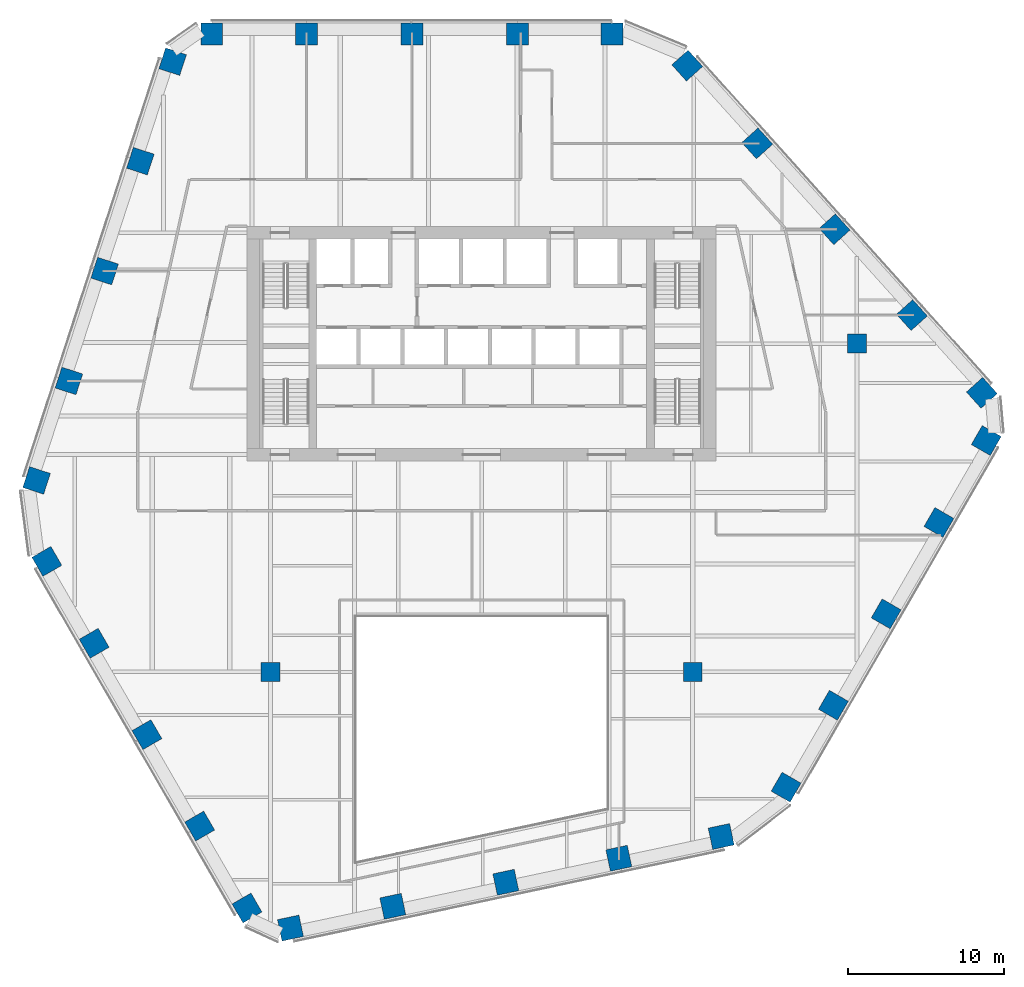
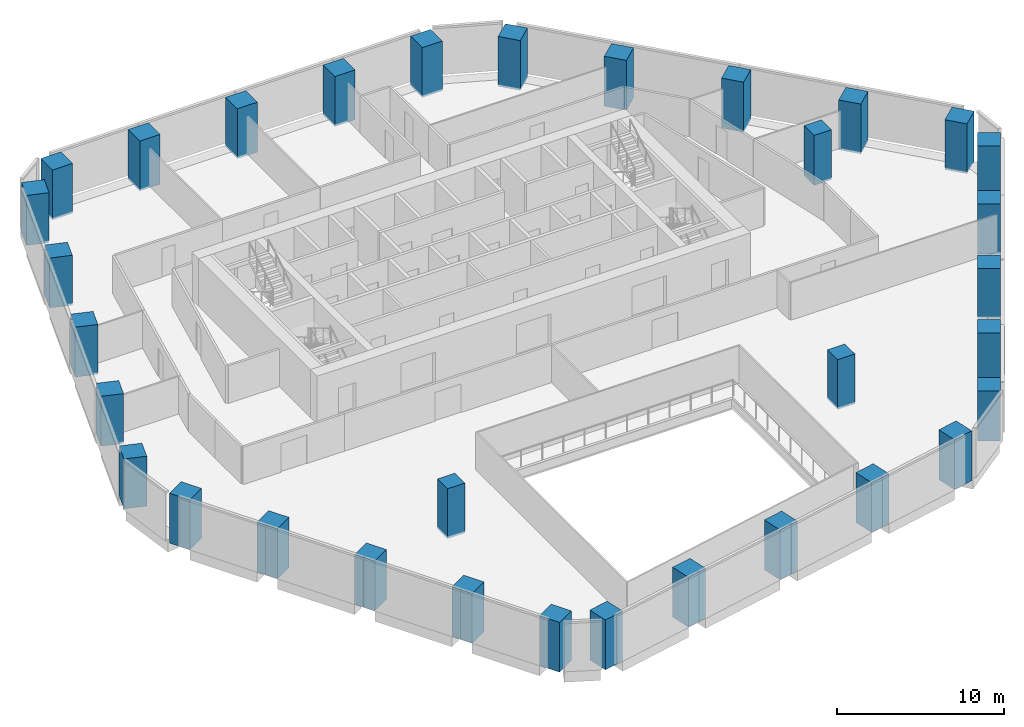
# One storey, part 1 of 16: 33 columns.
"""IFC4 building model written with IfcOpenShell, lengths in metres."""

from ifc_helpers import new_model, si_unit, direction, frame, origin, origin_2d, place, context, subcontext, project, spatial, rectangle, extrude, material, material_profile, profile_set, type_object, element, save


model = new_model("IFC4")

# Units and contexts
model_context = context("Model", 3, precision=1e-05, world=origin(), true_north=direction((0.0, 1.0)))
body_context = subcontext(model_context, "Body", "Model", "MODEL_VIEW")
ifc_project = project(units=[si_unit("LENGTHUNIT", "METRE"), si_unit("AREAUNIT", "SQUARE_METRE"), si_unit("VOLUMEUNIT", "CUBIC_METRE"), si_unit("PLANEANGLEUNIT", "RADIAN"), si_unit("MASSUNIT", "GRAM", prefix="KILO")], contexts=[model_context])

# Site, building, storey
site_placement = place(None, origin())
site = spatial("IfcSite", under=ifc_project, at=site_placement, CompositionType="ELEMENT")
building_placement = place(site_placement, origin())
building = spatial("IfcBuilding", under=site, at=building_placement, Name="Isthmus Gate Tower", CompositionType="ELEMENT")
storey_placement = place(building_placement, frame((0.0, 0.0, 140.75)))
storey = spatial("IfcBuildingStorey", under=building, at=storey_placement, Name="L34", CompositionType="ELEMENT", Elevation=140.75)

# Columns
ifc_material_1 = material(Name="Concrete f'c 60 MPa", Category="concrete")
ifc_material_profile_1 = material_profile(ifc_material_1, rectangle(XDim=1.199951171875, YDim=1.199951171875, at=origin_2d()), Name="RC 1200X1200")
ifc_profile_set_1 = profile_set([ifc_material_profile_1], Name="Concrete f'c 60 MPa")
column_type_1 = type_object("IfcColumnType", Name="RC INTERIOR COLUMN 1200 X 1200", PredefinedType="COLUMN", material=ifc_profile_set_1)
for number, where, z_axis, x_axis, name in (
    (1, (-13.5, -13.5, -0.14990234375), (0.0, 0.0, 1.0), (1.0, 0.0, 0.0), "str-icol-L34-ICB2"),
    (2, (13.5, -13.5, -0.14990234375), (0.0, 0.0, 1.0), (1.0, 0.0, 0.0), "str-icol-L34-ICD2"),
    (3, (24.0, 7.5, -0.14990234375), (0.0, 0.0, 1.0), (1.0, 0.0, 0.0), "str-icol-L34-ICE3"),
):
    element("IfcColumn", number, at=place(storey_placement, frame(where, z_axis=z_axis, x_axis=x_axis)), inside=storey, type_object=column_type_1, Name=name, PredefinedType="COLUMN", context=body_context, shape_type="SweptSolid", body=[
        extrude(rectangle(XDim=1.199951171875, YDim=1.199951171875, at=origin_2d()), origin(), (0.0, 0.0, 1.0), 3.64990234375),
    ])
ifc_material_2 = material(Name="Concrete f'c 60 MPa", Category="concrete")
ifc_material_profile_2 = material_profile(ifc_material_2, rectangle(XDim=1.39990234375, YDim=1.39990234375, at=origin_2d()), Name="RC 1400X1400")
ifc_profile_set_2 = profile_set([ifc_material_profile_2], Name="Concrete f'c 60 MPa")
column_type_2 = type_object("IfcColumnType", Name="RC TUBE COLUMN 1400 X 1400", PredefinedType="COLUMN", material=ifc_profile_set_2)
for number, where, z_axis, x_axis, name in (
    (4, (8.338623046875, 27.300048828125, -0.14990234375), (0.0, 0.0, 1.0), (-1.0, 0.0, 0.0), "str-tcol-L34-T2N0"),
    (5, (2.288330078125, 27.300048828125, -0.14990234375), (0.0, 0.0, 1.0), (-1.0, 0.0, 0.0), "str-tcol-L34-T2N1"),
    (6, (-4.461669921875, 27.300048828125, -0.14990234375), (0.0, 0.0, 1.0), (-1.0, 0.0, 0.0), "str-tcol-L34-T2N2"),
    (7, (-11.2119140625, 27.300048828125, -0.14990234375), (0.0, 0.0, 1.0), (-1.0, 0.0, 0.0), "str-tcol-L34-T2N3"),
    (8, (-17.261962890625, 27.300048828125, -0.14990234375), (0.0, 0.0, 1.0), (-1.0, 0.0, 0.0), "str-tcol-L34-T2N4"),
    (9, (-19.765380859375, 25.532958984375, -0.14990234375), (0.0, 0.0, 1.0), (-0.309016994375, -0.951056516295, 0.0), "str-tcol-L34-T2NW0"),
    (10, (-21.8330078125, 19.169677734375, -0.14990234375), (0.0, 0.0, 1.0), (-0.309016994375, -0.951056516295, 0.0), "str-tcol-L34-T2NW1"),
    (11, (-24.116943359375, 12.140625, -0.14990234375), (0.0, 0.0, 1.0), (-0.309016994375, -0.951056516295, 0.0), "str-tcol-L34-T2NW2"),
    (12, (-26.400634765625, 5.111328125, -0.14990234375), (0.0, 0.0, 1.0), (-0.309016994375, -0.951056516295, 0.0), "str-tcol-L34-T2NW3"),
    (13, (-28.46826171875, -1.251953125, -0.14990234375), (0.0, 0.0, 1.0), (-0.309016994375, -0.951056516295, 0.0), "str-tcol-L34-T2NW4"),
    (14, (-27.811767578125, -6.4287109375, -0.14990234375), (0.0, 0.0, 1.0), (0.5, -0.866025403784, 0.0), "str-tcol-L34-T2SW0"),
    (15, (-24.78662109375, -11.668212890625, -0.14990234375), (0.0, 0.0, 1.0), (0.5, -0.866025403784, 0.0), "str-tcol-L34-T2SW1"),
    (16, (-21.41162109375, -17.513916015625, -0.14990234375), (0.0, 0.0, 1.0), (0.5, -0.866025403784, 0.0), "str-tcol-L34-T2SW2"),
    (17, (-18.03662109375, -23.359619140625, -0.14990234375), (0.0, 0.0, 1.0), (0.5, -0.866025403784, 0.0), "str-tcol-L34-T2SW3"),
    (18, (-15.011474609375, -28.599365234375, -0.14990234375), (0.0, 0.0, 1.0), (0.5, -0.866025403784, 0.0), "str-tcol-L34-T2SW4"),
    (19, (-12.2294921875, -29.8837890625, -0.14990234375), (0.0, 0.0, 1.0), (0.978147600734, 0.207911690818, 0.0), "str-tcol-L34-T2S0"),
    (20, (-5.684814453125, -28.49267578125, -0.14990234375), (0.0, 0.0, 1.0), (0.978147600734, 0.207911690818, 0.0), "str-tcol-L34-T2S1"),
    (21, (1.54443359375, -26.9560546875, -0.14990234375), (0.0, 0.0, 1.0), (0.978147600734, 0.207911690818, 0.0), "str-tcol-L34-T2S2"),
    (22, (8.773681640625, -25.41943359375, -0.14990234375), (0.0, 0.0, 1.0), (0.978147600734, 0.207911690818, 0.0), "str-tcol-L34-T2S3"),
    (23, (15.318359375, -24.0283203125, -0.14990234375), (0.0, 0.0, 1.0), (0.978147600734, 0.207911690818, 0.0), "str-tcol-L34-T2S4"),
    (24, (19.47314453125, -20.871337890625, -0.14990234375), (0.0, 0.0, 1.0), (0.5, 0.866025403784, 0.0), "str-tcol-L34-T2SE0"),
    (25, (22.498291015625, -15.6318359375, -0.14990234375), (0.0, 0.0, 1.0), (0.5, 0.866025403784, 0.0), "str-tcol-L34-T2SE1"),
    (26, (25.873291015625, -9.7861328125, -0.14990234375), (0.0, 0.0, 1.0), (0.5, 0.866025403784, 0.0), "str-tcol-L34-T2SE2"),
    (27, (29.248291015625, -3.940185546875, -0.14990234375), (0.0, 0.0, 1.0), (0.5, 0.866025403784, 0.0), "str-tcol-L34-T2SE3"),
    (28, (32.2734375, 1.29931640625, -0.14990234375), (0.0, 0.0, 1.0), (0.5, 0.866025403784, 0.0), "str-tcol-L34-T2SE4"),
    (29, (31.994873046875, 4.350830078125, -0.14990234375), (0.0, 0.0, 1.0), (-0.669130606359, 0.743144825477, 0.0), "str-tcol-L34-T2NE0"),
    (30, (27.517822265625, 9.3232421875, -0.14990234375), (0.0, 0.0, 1.0), (-0.669130606359, 0.743144825477, 0.0), "str-tcol-L34-T2NE1"),
    (31, (22.572509765625, 14.815673828125, -0.14990234375), (0.0, 0.0, 1.0), (-0.669130606359, 0.743144825477, 0.0), "str-tcol-L34-T2NE2"),
    (32, (17.626953125, 20.30810546875, -0.14990234375), (0.0, 0.0, 1.0), (-0.669130606359, 0.743144825477, 0.0), "str-tcol-L34-T2NE3"),
    (33, (13.14990234375, 25.2802734375, -0.14990234375), (0.0, 0.0, 1.0), (-0.669130606359, 0.743144825477, 0.0), "str-tcol-L34-T2NE4"),
):
    element("IfcColumn", number, at=place(storey_placement, frame(where, z_axis=z_axis, x_axis=x_axis)), inside=storey, type_object=column_type_2, Name=name, PredefinedType="COLUMN", context=body_context, shape_type="SweptSolid", body=[
        extrude(rectangle(XDim=1.39990234375, YDim=1.39990234375, at=origin_2d()), origin(), (0.0, 0.0, 1.0), 3.64990234375),
    ])

save(model, "model.ifc")
